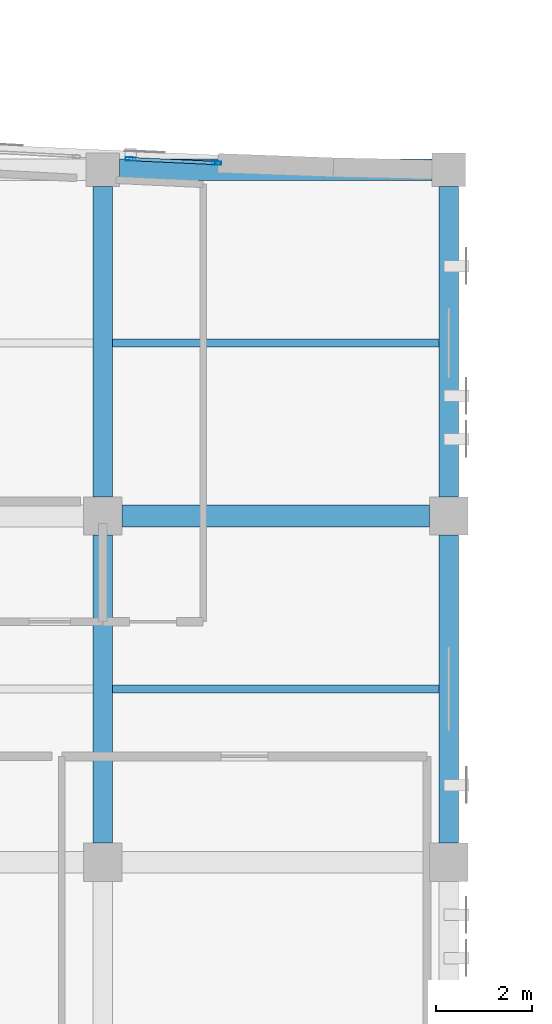
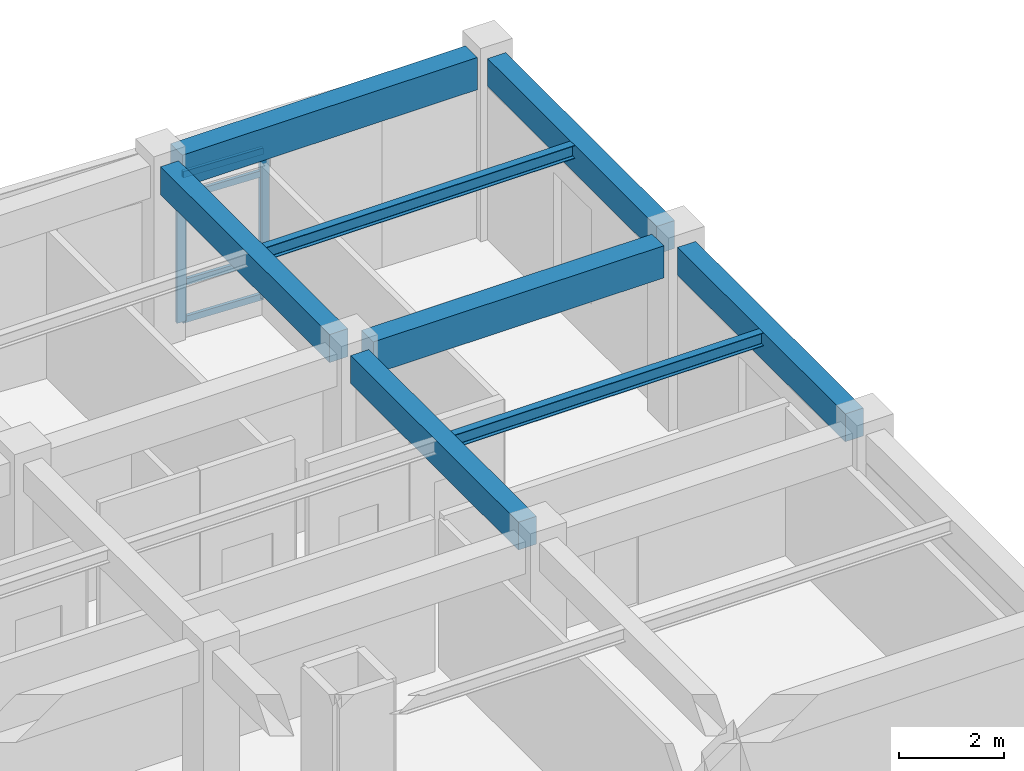
# One storey, part 56 of 106: 8 beams, 6 members, 1 element without a shape of its own.
"""IFC4 building model written with IfcOpenShell, lengths in metres."""

from ifc_helpers import new_model, si_unit, direction, frame, origin, origin_2d, place, context, subcontext, project, spatial, rectangle, hollow_rectangle, i_section, extrude, material, layer, layer_set, material_profile, profile_set, type_object, element, aggregate, save


model = new_model("IFC4")

# Units and contexts
model_context = context("Model", 3, precision=1e-05, world=origin(), true_north=direction((0.0, 1.0)))
body_context = subcontext(model_context, "Body", "Model", "MODEL_VIEW")
ifc_project = project(units=[si_unit("LENGTHUNIT", "METRE"), si_unit("AREAUNIT", "SQUARE_METRE"), si_unit("VOLUMEUNIT", "CUBIC_METRE"), si_unit("PLANEANGLEUNIT", "RADIAN"), si_unit("MASSUNIT", "GRAM", prefix="KILO")], contexts=[model_context])

# Site, building, storey
site_placement = place(None, origin())
site = spatial("IfcSite", under=ifc_project, at=site_placement, CompositionType="ELEMENT")
building_placement = place(site_placement, origin())
building = spatial("IfcBuilding", under=site, at=building_placement, Name="Carrowvane Square Congress Hotel", CompositionType="ELEMENT")
storey_placement = place(building_placement, frame((0.0, 0.0, 10.5)))
storey = spatial("IfcBuildingStorey", under=building, at=storey_placement, Name="L02", CompositionType="ELEMENT", Elevation=10.5)

# Beams
ifc_material_1 = material(Name="Concrete C35/45", Category="concrete")
ifc_material_profile_1 = material_profile(ifc_material_1, rectangle(XDim=0.39990234375, YDim=0.64990234375, at=origin_2d()), Name="RC 400x650")
ifc_profile_set_1 = profile_set([ifc_material_profile_1], Name="Concrete C35/45")
beam_type_1 = type_object("IfcBeamType", Name="BM-RC-400x650", PredefinedType="BEAM", material=ifc_profile_set_1)
beam_1_placement = place(storey_placement, frame((155.60009765625, 99.39990234375, 3.89501953125), z_axis=(0.0, 1.0, 0.0), x_axis=(-1.0, 0.0, 0.0)))
element("IfcBeam", 1, at=beam_1_placement, inside=storey, type_object=beam_type_1, Name="L03 girder 21/P-Q", PredefinedType="BEAM", context=body_context, shape_type="SweptSolid", body=[
    extrude(rectangle(XDim=0.39990234375, YDim=0.64990234375, at=origin_2d()), origin(), (0.0, 0.0, 1.0), 6.400146484375),
])
beam_2_placement = place(storey_placement, frame((155.60009765625, 106.60009765625, 3.89501953125), z_axis=(0.0, 1.0, 0.0), x_axis=(-1.0, 0.0, 0.0)))
element("IfcBeam", 2, at=beam_2_placement, inside=storey, type_object=beam_type_1, Name="L03 girder 21/Q-R", PredefinedType="BEAM", context=body_context, shape_type="SweptSolid", body=[
    extrude(rectangle(XDim=0.39990234375, YDim=0.64990234375, at=origin_2d()), origin(), (0.0, 0.0, 1.0), 6.449951171875),
])
beam_3_placement = place(storey_placement, frame((162.800048828125, 99.39990234375, 3.89501953125), z_axis=(0.0, 1.0, 0.0), x_axis=(-1.0, 0.0, 0.0)))
element("IfcBeam", 3, at=beam_3_placement, inside=storey, type_object=beam_type_1, Name="L03 girder 22/P-Q", PredefinedType="BEAM", context=body_context, shape_type="SweptSolid", body=[
    extrude(rectangle(XDim=0.39990234375, YDim=0.64990234375, at=origin_2d()), origin(), (0.0, 0.0, 1.0), 6.400146484375),
])
beam_4_placement = place(storey_placement, frame((162.800048828125, 106.60009765625, 3.89501953125), z_axis=(0.0, 1.0, 0.0), x_axis=(-1.0, 0.0, 0.0)))
element("IfcBeam", 4, at=beam_4_placement, inside=storey, type_object=beam_type_1, Name="L03 girder 22/Q-R", PredefinedType="BEAM", context=body_context, shape_type="SweptSolid", body=[
    extrude(rectangle(XDim=0.39990234375, YDim=0.64990234375, at=origin_2d()), origin(), (0.0, 0.0, 1.0), 6.449951171875),
])
ifc_material_2 = material(Name="Concrete C35/45", Category="concrete")
ifc_material_profile_2 = material_profile(ifc_material_2, rectangle(XDim=0.449951171875, YDim=0.75, at=origin_2d()), Name="RC 450x750")
ifc_profile_set_2 = profile_set([ifc_material_profile_2], Name="Concrete C35/45")
beam_type_2 = type_object("IfcBeamType", Name="BM-RC-450x750", PredefinedType="USERDEFINED", material=ifc_profile_set_2)
beam_5_placement = place(storey_placement, frame((156.0, 106.199951171875, 3.844970703125), z_axis=(1.0, 0.0, 0.0), x_axis=(0.0, 1.0, 0.0)))
element("IfcBeam", 5, at=beam_5_placement, inside=storey, type_object=beam_type_2, Name="L03 girder Q/21-22", ObjectType="GIRDER", PredefinedType="USERDEFINED", context=body_context, shape_type="SweptSolid", body=[
    extrude(rectangle(XDim=0.449951171875, YDim=0.75, at=origin_2d()), origin(), (0.0, 0.0, 1.0), 6.39990234375),
])
beam_6_placement = place(storey_placement, frame((155.949951171875, 113.39990234375, 3.844970703125), z_axis=(1.0, 0.0, 0.0), x_axis=(0.0, 1.0, 0.0)))
element("IfcBeam", 6, at=beam_6_placement, inside=storey, type_object=beam_type_2, Name="L03 girder R/21-22", ObjectType="GIRDER", PredefinedType="USERDEFINED", context=body_context, shape_type="SweptSolid", body=[
    extrude(rectangle(XDim=0.449951171875, YDim=0.75, at=origin_2d()), origin(), (0.0, 0.0, 1.0), 6.5),
])
ifc_material_3 = material(Name="Steel S355", Category="steel")
ifc_material_profile_3 = material_profile(ifc_material_3, i_section(OverallWidth=0.165771484375, OverallDepth=0.306640625, WebThickness=0.006591796875, FlangeThickness=0.01171875, FilletRadius=0.0087890625, at=origin_2d()), Name="UKB 305x165x46")
ifc_profile_set_3 = profile_set([ifc_material_profile_3], Name="Steel S355")
beam_type_3 = type_object("IfcBeamType", Name="BM-ST-UKB305", PredefinedType="JOIST", material=ifc_profile_set_3)
for number, where, z_axis, x_axis, name in (
    (7, (155.800048828125, 102.60009765625, 4.066650390625), (1.0, 0.0, 0.0), (0.0, 1.0, 0.0), "L03 secondary joist 21-22"),
    (8, (155.800048828125, 109.800048828125, 4.066650390625), (1.0, 0.0, 0.0), (0.0, 1.0, 0.0), "L03 secondary joist 21-22"),
):
    element("IfcBeam", number, at=place(storey_placement, frame(where, z_axis=z_axis, x_axis=x_axis)), inside=storey, type_object=beam_type_3, Name=name, PredefinedType="JOIST", context=body_context, shape_type="SweptSolid", body=[
        extrude(i_section(OverallWidth=0.165771484375, OverallDepth=0.306640625, WebThickness=0.006591796875, FlangeThickness=0.01171875, FilletRadius=0.0087890625, at=origin_2d()), origin(), (0.0, 0.0, 1.0), 6.800048828125),
    ])

# Curtain wall, members
ifc_material_4 = material(Name="Anodised aluminium", Category="aluminium")
ifc_layer = layer(ifc_material_4, 0.197998046875)
ifc_layer_set = layer_set([ifc_layer], Name="Anodised aluminium")
curtain_wall_type = type_object("IfcCurtainWallType", Name="CW-SYS-4", PredefinedType="NOTDEFINED", material=ifc_layer_set)
curtain_wall_placement = place(storey_placement, origin())
curtain_wall = element("IfcCurtainWall", 9, at=curtain_wall_placement, inside=storey, type_object=curtain_wall_type, Name="L02 unitised curtain wall 179", PredefinedType="NOTDEFINED")
ifc_material_5 = material(Name="Anodised aluminium", Category="aluminium")
ifc_material_profile_4 = material_profile(ifc_material_5, hollow_rectangle(XDim=0.070068359375, YDim=0.199951171875, WallThickness=0.0048828125, at=origin_2d()), Name="CW-ML 70x200x5")
ifc_profile_set_4 = profile_set([ifc_material_profile_4], Name="Anodised aluminium")
member_type_1 = type_object("IfcMemberType", Name="CW-MUL-2", PredefinedType="MULLION", material=ifc_profile_set_4)
member_1_placement = place(storey_placement, frame((156.179443359375, 113.625732421875, 0.0), z_axis=(0.0, 0.0, 1.0), x_axis=(0.04651698979, 0.998917498926, 0.0)))
member_1 = element("IfcMember", 10, at=member_1_placement, type_object=member_type_1, Name="CW-4 mullion 1", PredefinedType="MULLION", context=body_context, shape_type="SweptSolid", body=[
    extrude(hollow_rectangle(XDim=0.070068359375, YDim=0.199951171875, WallThickness=0.0048828125, at=origin_2d()), origin(), (0.0, 0.0, 1.0), 3.455078125),
])
member_2_placement = place(storey_placement, frame((157.965087890625, 113.54248046875, 0.0), z_axis=(0.0, 0.0, 1.0), x_axis=(0.04651698979, 0.998917498926, 0.0)))
member_2 = element("IfcMember", 11, at=member_2_placement, type_object=member_type_1, Name="CW-4 mullion 2", PredefinedType="MULLION", context=body_context, shape_type="SweptSolid", body=[
    extrude(hollow_rectangle(XDim=0.070068359375, YDim=0.199951171875, WallThickness=0.0048828125, at=origin_2d()), origin(), (0.0, 0.0, 1.0), 3.455078125),
])
ifc_material_6 = material(Name="Anodised aluminium", Category="aluminium")
ifc_material_profile_5 = material_profile(ifc_material_6, hollow_rectangle(XDim=0.070068359375, YDim=0.14990234375, WallThickness=0.0048828125, at=origin_2d()), Name="CW-TR 70x150x5")
ifc_profile_set_5 = profile_set([ifc_material_profile_5], Name="Anodised aluminium")
member_type_2 = type_object("IfcMemberType", Name="CW-TRN-2", PredefinedType="USERDEFINED", material=ifc_profile_set_5)
member_3_placement = place(storey_placement, frame((156.21435546875, 113.6240234375, 0.034912109375), z_axis=(0.998919318893, -0.046477890905, 0.0), x_axis=(0.046477890905, 0.998919318893, 0.0)))
member_3 = element("IfcMember", 12, at=member_3_placement, type_object=member_type_2, Name="CW-4 transom 1.1", ObjectType="TRANSOM", PredefinedType="USERDEFINED", context=body_context, shape_type="SweptSolid", body=[
    extrude(hollow_rectangle(XDim=0.070068359375, YDim=0.14990234375, WallThickness=0.0048828125, at=origin_2d()), origin(), (0.0, 0.0, 1.0), 1.7177734375),
])
member_4_placement = place(storey_placement, frame((156.21435546875, 113.6240234375, 0.89990234375), z_axis=(0.998919318893, -0.046477890905, 0.0), x_axis=(0.046477890905, 0.998919318893, 0.0)))
member_4 = element("IfcMember", 13, at=member_4_placement, type_object=member_type_2, Name="CW-4 transom 1.2", ObjectType="TRANSOM", PredefinedType="USERDEFINED", context=body_context, shape_type="SweptSolid", body=[
    extrude(hollow_rectangle(XDim=0.070068359375, YDim=0.14990234375, WallThickness=0.0048828125, at=origin_2d()), origin(), (0.0, 0.0, 1.0), 1.7177734375),
])
member_5_placement = place(storey_placement, frame((156.21435546875, 113.6240234375, 2.905029296875), z_axis=(0.998919318893, -0.046477890905, 0.0), x_axis=(0.046477890905, 0.998919318893, 0.0)))
member_5 = element("IfcMember", 14, at=member_5_placement, type_object=member_type_2, Name="CW-4 transom 1.3", ObjectType="TRANSOM", PredefinedType="USERDEFINED", context=body_context, shape_type="SweptSolid", body=[
    extrude(hollow_rectangle(XDim=0.070068359375, YDim=0.14990234375, WallThickness=0.0048828125, at=origin_2d()), origin(), (0.0, 0.0, 1.0), 1.7177734375),
])
member_6_placement = place(storey_placement, frame((156.21435546875, 113.6240234375, 3.419921875), z_axis=(0.998919318893, -0.046477890905, 0.0), x_axis=(0.046477890905, 0.998919318893, 0.0)))
member_6 = element("IfcMember", 15, at=member_6_placement, type_object=member_type_2, Name="CW-4 transom 1.4", ObjectType="TRANSOM", PredefinedType="USERDEFINED", context=body_context, shape_type="SweptSolid", body=[
    extrude(hollow_rectangle(XDim=0.070068359375, YDim=0.14990234375, WallThickness=0.0048828125, at=origin_2d()), origin(), (0.0, 0.0, 1.0), 1.7177734375),
])
aggregate(curtain_wall, [member_1, member_2, member_3, member_4, member_5, member_6])

save(model, "model.ifc")
